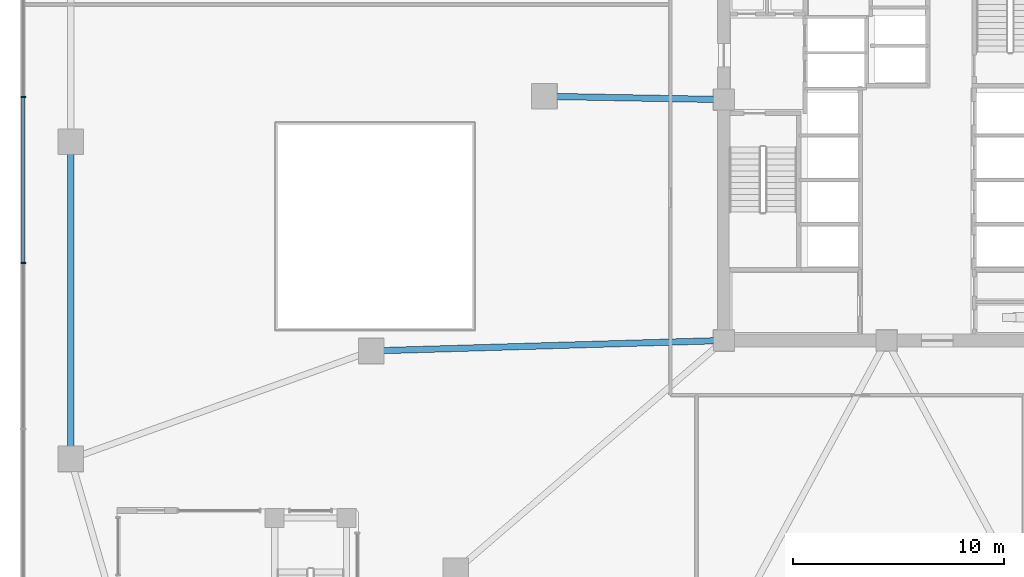
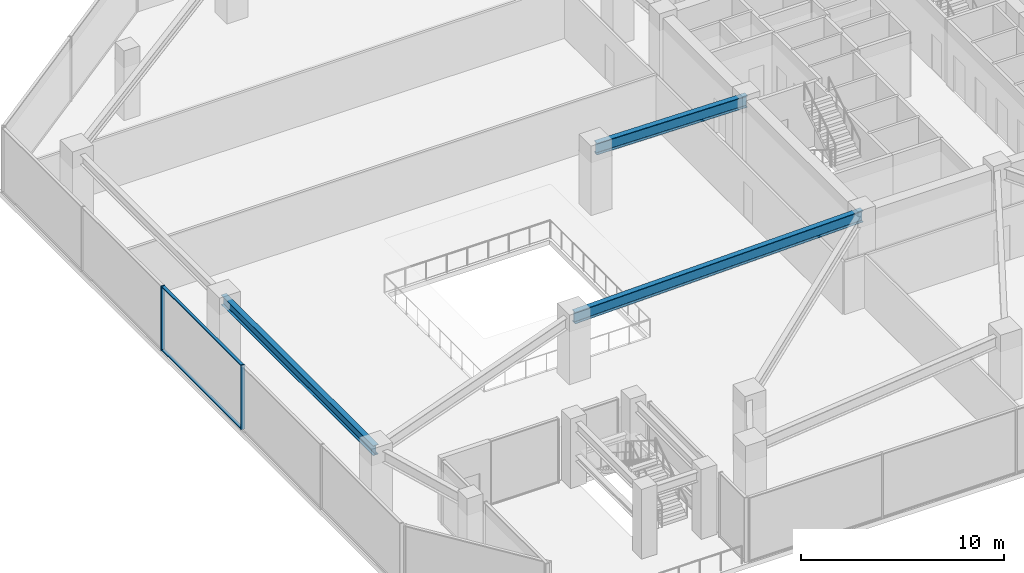
# One storey, part 3 of 22: 4 members, 3 beams, 1 element without a shape of its own.
"""IFC4 building model written with IfcOpenShell, lengths in metres."""

from ifc_helpers import new_model, si_unit, direction, frame, origin, origin_2d, place, context, subcontext, project, spatial, rectangle, i_section, extrude, material, material_profile, profile_set, type_object, element, aggregate, save


model = new_model("IFC4")

# Units and contexts
model_context = context("Model", 3, precision=1e-05, world=origin(), true_north=direction((0.0, 1.0)))
body_context = subcontext(model_context, "Body", "Model", "MODEL_VIEW")
ifc_project = project(units=[si_unit("LENGTHUNIT", "METRE"), si_unit("AREAUNIT", "SQUARE_METRE"), si_unit("VOLUMEUNIT", "CUBIC_METRE"), si_unit("PLANEANGLEUNIT", "RADIAN"), si_unit("MASSUNIT", "GRAM", prefix="KILO")], contexts=[model_context])

# Site, building, storey
site_placement = place(None, origin())
site = spatial("IfcSite", under=ifc_project, at=site_placement, CompositionType="ELEMENT")
building_placement = place(site_placement, origin())
building = spatial("IfcBuilding", under=site, at=building_placement, Name="Savorim Split Tower", CompositionType="ELEMENT")
storey_placement = place(building_placement, frame((0.0, 0.0, 17.60009765625)))
storey = spatial("IfcBuildingStorey", under=building, at=storey_placement, Name="L04", CompositionType="ELEMENT", Elevation=17.60009765625)

# Beams
ifc_material_1 = material(Name="Steel S355", Category="steel")
ifc_material_profile_1 = material_profile(ifc_material_1, i_section(OverallWidth=0.300048828125, OverallDepth=0.699951171875, WebThickness=0.01708984375, FlangeThickness=0.031982421875, FilletRadius=0.027099609375, at=origin_2d()), Name="HEB 700")
ifc_profile_set_1 = profile_set([ifc_material_profile_1], Name="Steel S355")
beam_type_1 = type_object("IfcBeamType", Name="BM-PRI-HEB700", PredefinedType="BEAM", material=ifc_profile_set_1)
beam_1_placement = place(storey_placement, frame((-16.1884765625, 2.15380859375, 3.52978515625), z_axis=(0.999835880654, -0.018116615514, 0.0), x_axis=(0.018116615514, 0.999835880654, 0.0)))
element("IfcBeam", 1, at=beam_1_placement, inside=storey, type_object=beam_type_1, Name="L04 Podium Primary Girder BG-30", PredefinedType="BEAM", context=body_context, shape_type="SweptSolid", body=[
    extrude(i_section(OverallWidth=0.300048828125, OverallDepth=0.699951171875, WebThickness=0.01708984375, FlangeThickness=0.031982421875, FilletRadius=0.027099609375, at=origin_2d()), origin(), (0.0, 0.0, 1.0), 8.489990234375),
])
beam_2_placement = place(storey_placement, frame((-24.384521484375, -9.894287109375, 3.52978515625), z_axis=(0.999561283227, 0.029618255758, 0.0), x_axis=(-0.029618255758, 0.999561283227, 0.0)))
element("IfcBeam", 2, at=beam_2_placement, inside=storey, type_object=beam_type_1, Name="L04 Podium Primary Girder BG-31", PredefinedType="BEAM", context=body_context, shape_type="SweptSolid", body=[
    extrude(i_section(OverallWidth=0.300048828125, OverallDepth=0.699951171875, WebThickness=0.01708984375, FlangeThickness=0.031982421875, FilletRadius=0.027099609375, at=origin_2d()), origin(), (0.0, 0.0, 1.0), 16.69189453125),
])
ifc_material_profile_2 = material_profile(ifc_material_1, i_section(OverallWidth=0.300048828125, OverallDepth=0.590087890625, WebThickness=0.012939453125, FlangeThickness=0.02490234375, FilletRadius=0.027099609375, at=origin_2d()), Name="HEA 600")
ifc_profile_set_2 = profile_set([ifc_material_profile_2], Name="Steel S355")
beam_type_2 = type_object("IfcBeamType", Name="BM-SPN-HEA600", PredefinedType="SPANDREL", material=ifc_profile_set_2)
beam_3_placement = place(storey_placement, frame((-38.60009765625, 0.0, 3.5849609375), z_axis=(0.0, -1.0, 0.0), x_axis=(1.0, 0.0, 0.0)))
element("IfcBeam", 3, at=beam_3_placement, inside=storey, type_object=beam_type_2, Name="L04 Podium Spandrel Beam 11", PredefinedType="SPANDREL", context=body_context, shape_type="SweptSolid", body=[
    extrude(i_section(OverallWidth=0.300048828125, OverallDepth=0.590087890625, WebThickness=0.012939453125, FlangeThickness=0.02490234375, FilletRadius=0.027099609375, at=origin_2d()), origin(), (0.0, 0.0, 1.0), 15.0),
])

# Curtain wall, members
ifc_material_2 = material(Name="Dark Ceramic-Fritted Insulated Glass", Category="glass")
curtain_wall_type = type_object("IfcCurtainWallType", Name="CW-POD-GLZ", PredefinedType="NOTDEFINED", material=ifc_material_2)
curtain_wall_placement = place(storey_placement, origin())
curtain_wall = element("IfcCurtainWall", 4, at=curtain_wall_placement, inside=storey, type_object=curtain_wall_type, Name="L04 Curtain Wall CW-L04-E10", PredefinedType="NOTDEFINED")
ifc_material_3 = material(Name="Charcoal Anodised Aluminium", Category="aluminium")
ifc_material_profile_3 = material_profile(ifc_material_3, rectangle(XDim=0.219970703125, YDim=0.070068359375, at=origin_2d()), Name="ALU-M 220x70")
ifc_profile_set_3 = profile_set([ifc_material_profile_3], Name="Charcoal Anodised Aluminium")
member_type_1 = type_object("IfcMemberType", Name="CWM-220x70", PredefinedType="MULLION", material=ifc_profile_set_3)
member_1_placement = place(storey_placement, frame((-40.840087890625, 2.132080078125, 0.0), z_axis=(0.0, 0.0, 1.0), x_axis=(1.0, 0.0, 0.0)))
member_1 = element("IfcMember", 5, at=member_1_placement, type_object=member_type_1, Name="CW-01 mullion 3", PredefinedType="MULLION", context=body_context, shape_type="SweptSolid", body=[
    extrude(rectangle(XDim=0.219970703125, YDim=0.070068359375, at=origin_2d()), origin(), (0.0, 0.0, 1.0), 3.8798828125),
])
member_2_placement = place(storey_placement, frame((-40.840087890625, -5.73193359375, 0.0), z_axis=(0.0, 0.0, 1.0), x_axis=(1.0, 0.0, 0.0)))
member_2 = element("IfcMember", 6, at=member_2_placement, type_object=member_type_1, Name="CW-01 mullion 4", PredefinedType="MULLION", context=body_context, shape_type="SweptSolid", body=[
    extrude(rectangle(XDim=0.219970703125, YDim=0.070068359375, at=origin_2d()), origin(), (0.0, 0.0, 1.0), 3.8798828125),
])
ifc_material_profile_4 = material_profile(ifc_material_3, rectangle(XDim=0.159912109375, YDim=0.06005859375, at=origin_2d()), Name="ALU-T 160x60")
ifc_profile_set_4 = profile_set([ifc_material_profile_4], Name="Charcoal Anodised Aluminium")
member_type_2 = type_object("IfcMemberType", Name="CWT-160x60", PredefinedType="USERDEFINED", material=ifc_profile_set_4)
member_3_placement = place(storey_placement, frame((-40.840087890625, 2.096923828125, 0.02978515625), z_axis=(0.0, -1.0, 0.0), x_axis=(1.0, 0.0, 0.0)))
member_3 = element("IfcMember", 7, at=member_3_placement, type_object=member_type_2, Name="CW-01 transom 3.1", ObjectType="TRANSOM", PredefinedType="USERDEFINED", context=body_context, shape_type="SweptSolid", body=[
    extrude(rectangle(XDim=0.159912109375, YDim=0.06005859375, at=origin_2d()), origin(), (0.0, 0.0, 1.0), 7.7939453125),
])
member_4_placement = place(storey_placement, frame((-40.840087890625, 2.096923828125, 3.849853515625), z_axis=(0.0, -1.0, 0.0), x_axis=(1.0, 0.0, 0.0)))
member_4 = element("IfcMember", 8, at=member_4_placement, type_object=member_type_2, Name="CW-01 transom 3.2", ObjectType="TRANSOM", PredefinedType="USERDEFINED", context=body_context, shape_type="SweptSolid", body=[
    extrude(rectangle(XDim=0.159912109375, YDim=0.06005859375, at=origin_2d()), origin(), (0.0, 0.0, 1.0), 7.7939453125),
])
aggregate(curtain_wall, [member_1, member_2, member_3, member_4])

save(model, "model.ifc")
